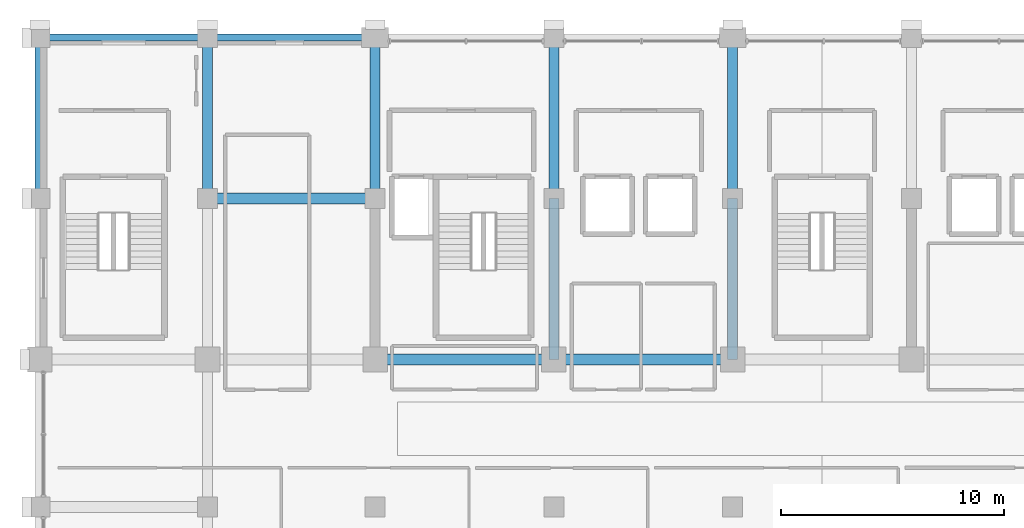
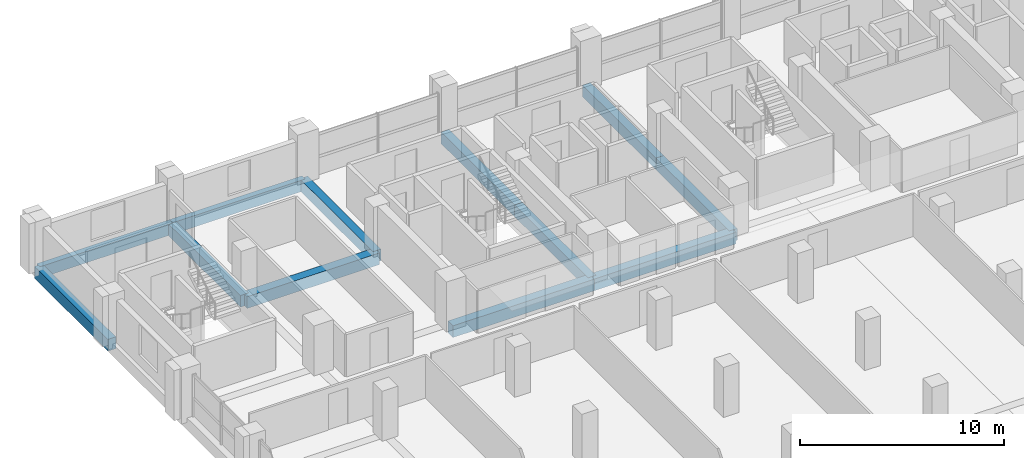
# One storey, part 9 of 21: 12 beams.
"""IFC4 building model written with IfcOpenShell, lengths in metres."""

from ifc_helpers import new_model, si_unit, direction, frame, origin, origin_2d, place, context, subcontext, project, spatial, rectangle, extrude, material, material_profile, profile_set, type_object, element, save


model = new_model("IFC4")

# Units and contexts
model_context = context("Model", 3, precision=1e-05, world=origin(), true_north=direction((0.0, 1.0)))
body_context = subcontext(model_context, "Body", "Model", "MODEL_VIEW")
ifc_project = project(units=[si_unit("LENGTHUNIT", "METRE"), si_unit("AREAUNIT", "SQUARE_METRE"), si_unit("VOLUMEUNIT", "CUBIC_METRE"), si_unit("PLANEANGLEUNIT", "RADIAN"), si_unit("MASSUNIT", "GRAM", prefix="KILO")], contexts=[model_context])

# Site, building, storey
site_placement = place(None, origin())
site = spatial("IfcSite", under=ifc_project, at=site_placement, CompositionType="ELEMENT")
building_placement = place(site_placement, origin())
building = spatial("IfcBuilding", under=site, at=building_placement, Name="Akrevak Sports Hall", CompositionType="ELEMENT")
storey_placement = place(building_placement, frame((0.0, 0.0, 27.550048828125)))
storey = spatial("IfcBuildingStorey", under=building, at=storey_placement, Name="L05", CompositionType="ELEMENT", Elevation=27.550048828125)

# Beams
ifc_material = material(Name="Concrete C40/50", Category="concrete")
ifc_material_profile_1 = material_profile(ifc_material, rectangle(XDim=0.449951171875, YDim=0.699951171875, at=origin_2d()), Name="BM 450x700", Category="concrete")
ifc_profile_set_1 = profile_set([ifc_material_profile_1], Name="Concrete C40/50")
beam_type_1 = type_object("IfcBeamType", Name="STR-BM-RC450x700", PredefinedType="BEAM", material=ifc_profile_set_1)
for number, where, z_axis, x_axis, name in (
    (1, (45.0, 62.39990234375, -0.35009765625), (0.0, 1.0, 0.0), (-1.0, 0.0, 0.0), "Girder 7/J-K (L05)"),
    (2, (52.5, 62.39990234375, -0.35009765625), (0.0, 1.0, 0.0), (-1.0, 0.0, 0.0), "Girder 8/J-K (L05)"),
    (3, (60.0, 62.39990234375, -0.35009765625), (0.0, 1.0, 0.0), (-1.0, 0.0, 0.0), "Girder 9/J-K (L05)"),
):
    element("IfcBeam", number, at=place(storey_placement, frame(where, z_axis=z_axis, x_axis=x_axis)), inside=storey, type_object=beam_type_1, Name=name, PredefinedType="BEAM", context=body_context, shape_type="SweptSolid", body=[
        extrude(rectangle(XDim=0.449951171875, YDim=0.699951171875, at=origin_2d()), origin(), (0.0, 0.0, 1.0), 7.2001953125),
    ])
beam_1_placement = place(storey_placement, frame((68.0, 55.199951171875, -0.35009765625), z_axis=(0.0, 1.0, 0.0), x_axis=(-1.0, 0.0, 0.0)))
element("IfcBeam", 4, at=beam_1_placement, inside=storey, type_object=beam_type_1, Name="Girder 10/I-J (L05)", PredefinedType="BEAM", context=body_context, shape_type="SweptSolid", body=[
    extrude(rectangle(XDim=0.449951171875, YDim=0.699951171875, at=origin_2d()), origin(), (0.0, 0.0, 1.0), 7.199951171875),
])
beam_2_placement = place(storey_placement, frame((68.0, 62.39990234375, -0.35009765625), z_axis=(0.0, 1.0, 0.0), x_axis=(-1.0, 0.0, 0.0)))
element("IfcBeam", 5, at=beam_2_placement, inside=storey, type_object=beam_type_1, Name="Girder 10/J-K (L05)", PredefinedType="BEAM", context=body_context, shape_type="SweptSolid", body=[
    extrude(rectangle(XDim=0.449951171875, YDim=0.699951171875, at=origin_2d()), origin(), (0.0, 0.0, 1.0), 7.2001953125),
])
beam_3_placement = place(storey_placement, frame((76.0, 55.199951171875, -0.35009765625), z_axis=(0.0, 1.0, 0.0), x_axis=(-1.0, 0.0, 0.0)))
element("IfcBeam", 6, at=beam_3_placement, inside=storey, type_object=beam_type_1, Name="Girder 11/I-J (L05)", PredefinedType="BEAM", context=body_context, shape_type="SweptSolid", body=[
    extrude(rectangle(XDim=0.449951171875, YDim=0.699951171875, at=origin_2d()), origin(), (0.0, 0.0, 1.0), 7.199951171875),
])
beam_4_placement = place(storey_placement, frame((76.0, 62.39990234375, -0.35009765625), z_axis=(0.0, 1.0, 0.0), x_axis=(-1.0, 0.0, 0.0)))
element("IfcBeam", 7, at=beam_4_placement, inside=storey, type_object=beam_type_1, Name="Girder 11/J-K (L05)", PredefinedType="BEAM", context=body_context, shape_type="SweptSolid", body=[
    extrude(rectangle(XDim=0.449951171875, YDim=0.699951171875, at=origin_2d()), origin(), (0.0, 0.0, 1.0), 7.2001953125),
])
ifc_material_profile_2 = material_profile(ifc_material, rectangle(XDim=0.5, YDim=0.699951171875, at=origin_2d()), Name="BM 500x700", Category="concrete")
ifc_profile_set_2 = profile_set([ifc_material_profile_2], Name="Concrete C40/50")
beam_type_2 = type_object("IfcBeamType", Name="STR-BM-RC500x700", PredefinedType="BEAM", material=ifc_profile_set_2)
for number, where, z_axis, x_axis, name in (
    (8, (60.0, 55.199951171875, -0.35009765625), (1.0, 0.0, 0.0), (0.0, 1.0, 0.0), "Girder I/9-10 (L05)"),
    (9, (68.0, 55.199951171875, -0.35009765625), (1.0, 0.0, 0.0), (0.0, 1.0, 0.0), "Girder I/10-11 (L05)"),
):
    element("IfcBeam", number, at=place(storey_placement, frame(where, z_axis=z_axis, x_axis=x_axis)), inside=storey, type_object=beam_type_2, Name=name, PredefinedType="BEAM", context=body_context, shape_type="SweptSolid", body=[
        extrude(rectangle(XDim=0.5, YDim=0.699951171875, at=origin_2d()), origin(), (0.0, 0.0, 1.0), 8.0),
    ])
beam_5_placement = place(storey_placement, frame((52.5, 62.39990234375, -0.35009765625), z_axis=(1.0, 0.0, 0.0), x_axis=(0.0, 1.0, 0.0)))
element("IfcBeam", 10, at=beam_5_placement, inside=storey, type_object=beam_type_2, Name="Girder J/8-9 (L05)", PredefinedType="BEAM", context=body_context, shape_type="SweptSolid", body=[
    extrude(rectangle(XDim=0.5, YDim=0.699951171875, at=origin_2d()), origin(), (0.0, 0.0, 1.0), 7.5),
])
ifc_material_profile_3 = material_profile(ifc_material, rectangle(XDim=0.320068359375, YDim=0.679931640625, at=origin_2d()), Name="SPD 320x680", Category="concrete")
ifc_profile_set_3 = profile_set([ifc_material_profile_3], Name="Concrete C40/50")
beam_type_3 = type_object("IfcBeamType", Name="STR-SPD-RC320x680", PredefinedType="SPANDREL", material=ifc_profile_set_3)
for number, where, z_axis, x_axis, name in (
    (11, (45.0, 69.60009765625, -0.340087890625), (1.0, 0.0, 0.0), (0.0, 1.0, 0.0), "Girder K/7-8 (L05)"),
    (12, (52.5, 69.60009765625, -0.340087890625), (1.0, 0.0, 0.0), (0.0, 1.0, 0.0), "Girder K/8-9 (L05)"),
):
    element("IfcBeam", number, at=place(storey_placement, frame(where, z_axis=z_axis, x_axis=x_axis)), inside=storey, type_object=beam_type_3, Name=name, PredefinedType="SPANDREL", context=body_context, shape_type="SweptSolid", body=[
        extrude(rectangle(XDim=0.320068359375, YDim=0.679931640625, at=origin_2d()), origin(), (0.0, 0.0, 1.0), 7.5),
    ])

save(model, "model.ifc")
